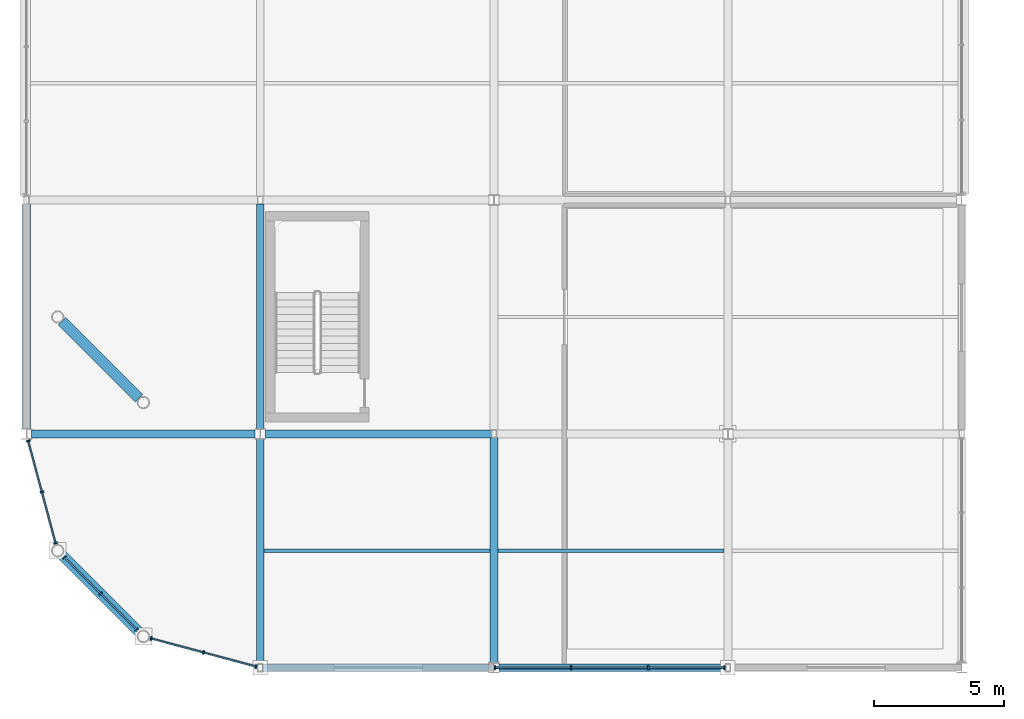
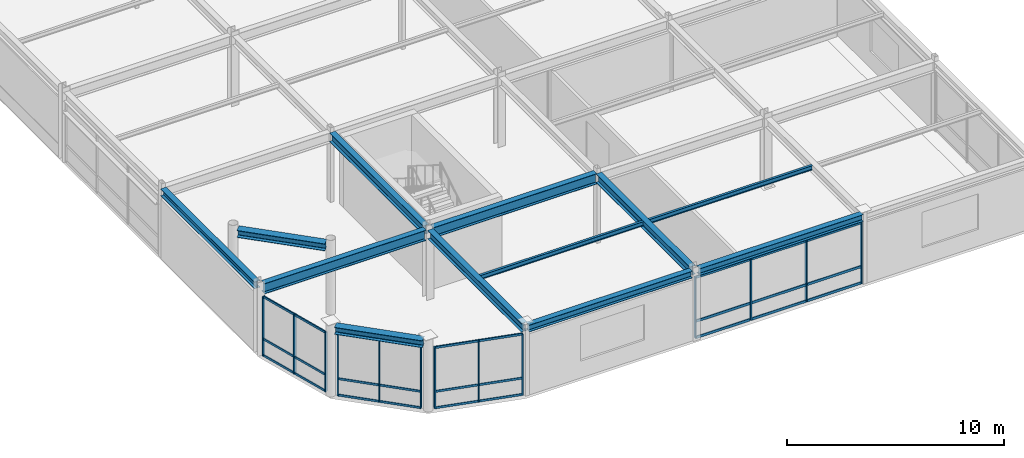
# One storey, part 21 of 105: 40 members, 12 beams, 4 elements without a shape of their own.
"""IFC4 building model written with IfcOpenShell, lengths in metres."""

from ifc_helpers import new_model, si_unit, direction, frame, origin, origin_2d, place, context, subcontext, project, spatial, rectangle, i_section, extrude, material, material_profile, profile_set, type_object, element, aggregate, save


model = new_model("IFC4")

# Units and contexts
model_context = context("Model", 3, precision=1e-05, world=origin(), true_north=direction((0.0, 1.0)))
body_context = subcontext(model_context, "Body", "Model", "MODEL_VIEW")
ifc_project = project(units=[si_unit("LENGTHUNIT", "METRE"), si_unit("AREAUNIT", "SQUARE_METRE"), si_unit("VOLUMEUNIT", "CUBIC_METRE"), si_unit("PLANEANGLEUNIT", "RADIAN"), si_unit("MASSUNIT", "GRAM", prefix="KILO")], contexts=[model_context])

# Site, building, storey
site_placement = place(None, origin())
site = spatial("IfcSite", under=ifc_project, at=site_placement, CompositionType="ELEMENT")
building_placement = place(site_placement, origin())
building = spatial("IfcBuilding", under=site, at=building_placement, Name="Suzunagisa Mobility Hub", CompositionType="ELEMENT")
storey_placement = place(building_placement, frame((0.0, 0.0, 5.10009765625)))
storey = spatial("IfcBuildingStorey", under=building, at=storey_placement, Name="L01", CompositionType="ELEMENT", Elevation=5.10009765625)

# Curtain wall, members
ifc_material_1 = material(Name="Thermally Broken Anodized Aluminum and Low-E Glazing", Category="aluminium")
curtain_wall_type_1 = type_object("IfcCurtainWallType", Name="Unitised Curtain Wall CW-17 9000x3500", PredefinedType="USERDEFINED", material=ifc_material_1)
curtain_wall_1_placement = place(storey_placement, origin())
curtain_wall_1 = element("IfcCurtainWall", 1, at=curtain_wall_1_placement, inside=storey, type_object=curtain_wall_type_1, Name="L01 Unitised Curtain Wall CW-13", ObjectType="UNITISED CURTAIN WALL", PredefinedType="USERDEFINED")
ifc_material_2 = material(Name="Anodized Aluminum 6063-T6", Category="aluminium")
ifc_material_profile_1 = material_profile(ifc_material_2, rectangle(XDim=0.06494140625, YDim=0.139892578125, at=origin_2d()), Name="TRAN-65x140")
ifc_profile_set_1 = profile_set([ifc_material_profile_1], Name="Anodized Aluminum 6063-T6")
member_type_1 = type_object("IfcMemberType", Name="Curtain Wall Framing CM-01 TRAN-65x140", PredefinedType="USERDEFINED", material=ifc_profile_set_1)
member_1_placement = place(storey_placement, frame((18.0625, 0.0, 0.032470703125), z_axis=(1.0, 0.0, 0.0), x_axis=(0.0, 1.0, 0.0)))
member_1 = element("IfcMember", 2, at=member_1_placement, type_object=member_type_1, Name="Curtain Wall Transom 13-T1.1", ObjectType="TRANSOM", PredefinedType="USERDEFINED", context=body_context, shape_type="SweptSolid", body=[
    extrude(rectangle(XDim=0.06494140625, YDim=0.139892578125, at=origin_2d()), origin(), (0.0, 0.0, 1.0), 2.879150390625),
])
member_2_placement = place(storey_placement, frame((18.0625, 0.0, 0.949951171875), z_axis=(1.0, 0.0, 0.0), x_axis=(0.0, 1.0, 0.0)))
member_2 = element("IfcMember", 3, at=member_2_placement, type_object=member_type_1, Name="Curtain Wall Transom 13-T1.2", ObjectType="TRANSOM", PredefinedType="USERDEFINED", context=body_context, shape_type="SweptSolid", body=[
    extrude(rectangle(XDim=0.06494140625, YDim=0.139892578125, at=origin_2d()), origin(), (0.0, 0.0, 1.0), 2.879150390625),
])
member_3_placement = place(storey_placement, frame((18.0625, 0.0, 3.41943359375), z_axis=(1.0, 0.0, 0.0), x_axis=(0.0, 1.0, 0.0)))
member_3 = element("IfcMember", 4, at=member_3_placement, type_object=member_type_1, Name="Curtain Wall Transom 13-T1.3", ObjectType="TRANSOM", PredefinedType="USERDEFINED", context=body_context, shape_type="SweptSolid", body=[
    extrude(rectangle(XDim=0.06494140625, YDim=0.139892578125, at=origin_2d()), origin(), (0.0, 0.0, 1.0), 2.879150390625),
])
member_4_placement = place(storey_placement, frame((20.997802734375, 0.0, 0.032470703125), z_axis=(1.0, 0.0, 0.0), x_axis=(0.0, 1.0, 0.0)))
member_4 = element("IfcMember", 5, at=member_4_placement, type_object=member_type_1, Name="Curtain Wall Transom 13-T2.1", ObjectType="TRANSOM", PredefinedType="USERDEFINED", context=body_context, shape_type="SweptSolid", body=[
    extrude(rectangle(XDim=0.06494140625, YDim=0.139892578125, at=origin_2d()), origin(), (0.0, 0.0, 1.0), 2.908935546875),
])
member_5_placement = place(storey_placement, frame((20.997802734375, 0.0, 0.949951171875), z_axis=(1.0, 0.0, 0.0), x_axis=(0.0, 1.0, 0.0)))
member_5 = element("IfcMember", 6, at=member_5_placement, type_object=member_type_1, Name="Curtain Wall Transom 13-T2.2", ObjectType="TRANSOM", PredefinedType="USERDEFINED", context=body_context, shape_type="SweptSolid", body=[
    extrude(rectangle(XDim=0.06494140625, YDim=0.139892578125, at=origin_2d()), origin(), (0.0, 0.0, 1.0), 2.908935546875),
])
member_6_placement = place(storey_placement, frame((20.997802734375, 0.0, 3.41943359375), z_axis=(1.0, 0.0, 0.0), x_axis=(0.0, 1.0, 0.0)))
member_6 = element("IfcMember", 7, at=member_6_placement, type_object=member_type_1, Name="Curtain Wall Transom 13-T2.3", ObjectType="TRANSOM", PredefinedType="USERDEFINED", context=body_context, shape_type="SweptSolid", body=[
    extrude(rectangle(XDim=0.06494140625, YDim=0.139892578125, at=origin_2d()), origin(), (0.0, 0.0, 1.0), 2.908935546875),
])
member_7_placement = place(storey_placement, frame((23.962890625, 0.0, 0.032470703125), z_axis=(1.0, 0.0, 0.0), x_axis=(0.0, 1.0, 0.0)))
member_7 = element("IfcMember", 8, at=member_7_placement, type_object=member_type_1, Name="Curtain Wall Transom 13-T3.1", ObjectType="TRANSOM", PredefinedType="USERDEFINED", context=body_context, shape_type="SweptSolid", body=[
    extrude(rectangle(XDim=0.06494140625, YDim=0.139892578125, at=origin_2d()), origin(), (0.0, 0.0, 1.0), 2.879150390625),
])
member_8_placement = place(storey_placement, frame((23.962890625, 0.0, 0.949951171875), z_axis=(1.0, 0.0, 0.0), x_axis=(0.0, 1.0, 0.0)))
member_8 = element("IfcMember", 9, at=member_8_placement, type_object=member_type_1, Name="Curtain Wall Transom 13-T3.2", ObjectType="TRANSOM", PredefinedType="USERDEFINED", context=body_context, shape_type="SweptSolid", body=[
    extrude(rectangle(XDim=0.06494140625, YDim=0.139892578125, at=origin_2d()), origin(), (0.0, 0.0, 1.0), 2.879150390625),
])
member_9_placement = place(storey_placement, frame((23.962890625, 0.0, 3.41943359375), z_axis=(1.0, 0.0, 0.0), x_axis=(0.0, 1.0, 0.0)))
member_9 = element("IfcMember", 10, at=member_9_placement, type_object=member_type_1, Name="Curtain Wall Transom 13-T3.3", ObjectType="TRANSOM", PredefinedType="USERDEFINED", context=body_context, shape_type="SweptSolid", body=[
    extrude(rectangle(XDim=0.06494140625, YDim=0.139892578125, at=origin_2d()), origin(), (0.0, 0.0, 1.0), 2.879150390625),
])

curtain_wall_type_2 = type_object("IfcCurtainWallType", Name="Unitised Curtain Wall CW-02 4250x3400", PredefinedType="USERDEFINED", material=ifc_material_1)
curtain_wall_2_placement = place(storey_placement, origin())
curtain_wall_2 = element("IfcCurtainWall", 11, at=curtain_wall_2_placement, inside=storey, type_object=curtain_wall_type_2, Name="L01 Unitised Curtain Wall CW-10", ObjectType="UNITISED CURTAIN WALL", PredefinedType="USERDEFINED")
ifc_material_profile_2 = material_profile(ifc_material_2, rectangle(XDim=0.06005859375, YDim=0.1201171875, at=origin_2d()), Name="TRAN-60x120")
ifc_profile_set_2 = profile_set([ifc_material_profile_2], Name="Anodized Aluminum 6063-T6")
member_type_2 = type_object("IfcMemberType", Name="Curtain Wall Framing CM-02 TRAN-60x120", PredefinedType="USERDEFINED", material=ifc_profile_set_2)
member_10_placement = place(storey_placement, frame((0.078369140625, 8.70751953125, 0.02978515625), z_axis=(0.258797684861, -0.965931549495, 0.0), x_axis=(0.965931549495, 0.258797684861, 0.0)))
member_10 = element("IfcMember", 12, at=member_10_placement, type_object=member_type_2, Name="Curtain Wall Transom 10-T1.1", ObjectType="TRANSOM", PredefinedType="USERDEFINED", context=body_context, shape_type="SweptSolid", body=[
    extrude(rectangle(XDim=0.06005859375, YDim=0.1201171875, at=origin_2d()), origin(), (0.0, 0.0, 1.0), 1.98095703125),
])
member_11_placement = place(storey_placement, frame((0.078369140625, 8.70751953125, 0.949951171875), z_axis=(0.258797684861, -0.965931549495, 0.0), x_axis=(0.965931549495, 0.258797684861, 0.0)))
member_11 = element("IfcMember", 13, at=member_11_placement, type_object=member_type_2, Name="Curtain Wall Transom 10-T1.2", ObjectType="TRANSOM", PredefinedType="USERDEFINED", context=body_context, shape_type="SweptSolid", body=[
    extrude(rectangle(XDim=0.06005859375, YDim=0.1201171875, at=origin_2d()), origin(), (0.0, 0.0, 1.0), 1.98095703125),
])
member_12_placement = place(storey_placement, frame((0.078369140625, 8.70751953125, 3.322021484375), z_axis=(0.258797684861, -0.965931549495, 0.0), x_axis=(0.965931549495, 0.258797684861, 0.0)))
member_12 = element("IfcMember", 14, at=member_12_placement, type_object=member_type_2, Name="Curtain Wall Transom 10-T1.3", ObjectType="TRANSOM", PredefinedType="USERDEFINED", context=body_context, shape_type="SweptSolid", body=[
    extrude(rectangle(XDim=0.06005859375, YDim=0.1201171875, at=origin_2d()), origin(), (0.0, 0.0, 1.0), 1.98095703125),
])
member_13_placement = place(storey_placement, frame((0.605712890625, 6.739990234375, 0.02978515625), z_axis=(0.258797684861, -0.965931549495, 0.0), x_axis=(0.965931549495, 0.258797684861, 0.0)))
member_13 = element("IfcMember", 15, at=member_13_placement, type_object=member_type_2, Name="Curtain Wall Transom 10-T2.1", ObjectType="TRANSOM", PredefinedType="USERDEFINED", context=body_context, shape_type="SweptSolid", body=[
    extrude(rectangle(XDim=0.06005859375, YDim=0.1201171875, at=origin_2d()), origin(), (0.0, 0.0, 1.0), 1.98095703125),
])
member_14_placement = place(storey_placement, frame((0.605712890625, 6.739990234375, 0.949951171875), z_axis=(0.258797684861, -0.965931549495, 0.0), x_axis=(0.965931549495, 0.258797684861, 0.0)))
member_14 = element("IfcMember", 16, at=member_14_placement, type_object=member_type_2, Name="Curtain Wall Transom 10-T2.2", ObjectType="TRANSOM", PredefinedType="USERDEFINED", context=body_context, shape_type="SweptSolid", body=[
    extrude(rectangle(XDim=0.06005859375, YDim=0.1201171875, at=origin_2d()), origin(), (0.0, 0.0, 1.0), 1.98095703125),
])
member_15_placement = place(storey_placement, frame((0.605712890625, 6.739990234375, 3.322021484375), z_axis=(0.258797684861, -0.965931549495, 0.0), x_axis=(0.965931549495, 0.258797684861, 0.0)))
member_15 = element("IfcMember", 17, at=member_15_placement, type_object=member_type_2, Name="Curtain Wall Transom 10-T2.3", ObjectType="TRANSOM", PredefinedType="USERDEFINED", context=body_context, shape_type="SweptSolid", body=[
    extrude(rectangle(XDim=0.06005859375, YDim=0.1201171875, at=origin_2d()), origin(), (0.0, 0.0, 1.0), 1.98095703125),
])

curtain_wall_type_3 = type_object("IfcCurtainWallType", Name="Unitised Curtain Wall CW-23 4000x3500", PredefinedType="USERDEFINED", material=ifc_material_1)
curtain_wall_3_placement = place(storey_placement, origin())
curtain_wall_3 = element("IfcCurtainWall", 18, at=curtain_wall_3_placement, inside=storey, type_object=curtain_wall_type_3, Name="L01 Unitised Curtain Wall CW-11", ObjectType="UNITISED CURTAIN WALL", PredefinedType="USERDEFINED")
member_16_placement = place(storey_placement, frame((1.475341796875, 4.23046875, 0.02978515625), z_axis=(0.707106781187, -0.707106781187, 0.0), x_axis=(0.707106781187, 0.707106781187, 0.0)))
member_16 = element("IfcMember", 19, at=member_16_placement, type_object=member_type_2, Name="Curtain Wall Transom 11-T1.1", ObjectType="TRANSOM", PredefinedType="USERDEFINED", context=body_context, shape_type="SweptSolid", body=[
    extrude(rectangle(XDim=0.06005859375, YDim=0.1201171875, at=origin_2d()), origin(), (0.0, 0.0, 1.0), 1.919921875),
])
member_17_placement = place(storey_placement, frame((1.475341796875, 4.23046875, 0.949951171875), z_axis=(0.707106781187, -0.707106781187, 0.0), x_axis=(0.707106781187, 0.707106781187, 0.0)))
member_17 = element("IfcMember", 20, at=member_17_placement, type_object=member_type_2, Name="Curtain Wall Transom 11-T1.2", ObjectType="TRANSOM", PredefinedType="USERDEFINED", context=body_context, shape_type="SweptSolid", body=[
    extrude(rectangle(XDim=0.06005859375, YDim=0.1201171875, at=origin_2d()), origin(), (0.0, 0.0, 1.0), 1.919921875),
])
member_18_placement = place(storey_placement, frame((1.475341796875, 4.23046875, 3.510009765625), z_axis=(0.707106781187, -0.707106781187, 0.0), x_axis=(0.707106781187, 0.707106781187, 0.0)))
member_18 = element("IfcMember", 21, at=member_18_placement, type_object=member_type_2, Name="Curtain Wall Transom 11-T1.3", ObjectType="TRANSOM", PredefinedType="USERDEFINED", context=body_context, shape_type="SweptSolid", body=[
    extrude(rectangle(XDim=0.06005859375, YDim=0.1201171875, at=origin_2d()), origin(), (0.0, 0.0, 1.0), 1.919921875),
])
member_19_placement = place(storey_placement, frame((2.872802734375, 2.8330078125, 0.02978515625), z_axis=(0.707106781187, -0.707106781187, 0.0), x_axis=(0.707106781187, 0.707106781187, 0.0)))
member_19 = element("IfcMember", 22, at=member_19_placement, type_object=member_type_2, Name="Curtain Wall Transom 11-T2.1", ObjectType="TRANSOM", PredefinedType="USERDEFINED", context=body_context, shape_type="SweptSolid", body=[
    extrude(rectangle(XDim=0.06005859375, YDim=0.1201171875, at=origin_2d()), origin(), (0.0, 0.0, 1.0), 1.919921875),
])
member_20_placement = place(storey_placement, frame((2.872802734375, 2.8330078125, 0.949951171875), z_axis=(0.707106781187, -0.707106781187, 0.0), x_axis=(0.707106781187, 0.707106781187, 0.0)))
member_20 = element("IfcMember", 23, at=member_20_placement, type_object=member_type_2, Name="Curtain Wall Transom 11-T2.2", ObjectType="TRANSOM", PredefinedType="USERDEFINED", context=body_context, shape_type="SweptSolid", body=[
    extrude(rectangle(XDim=0.06005859375, YDim=0.1201171875, at=origin_2d()), origin(), (0.0, 0.0, 1.0), 1.919921875),
])
member_21_placement = place(storey_placement, frame((2.872802734375, 2.8330078125, 3.510009765625), z_axis=(0.707106781187, -0.707106781187, 0.0), x_axis=(0.707106781187, 0.707106781187, 0.0)))
member_21 = element("IfcMember", 24, at=member_21_placement, type_object=member_type_2, Name="Curtain Wall Transom 11-T2.3", ObjectType="TRANSOM", PredefinedType="USERDEFINED", context=body_context, shape_type="SweptSolid", body=[
    extrude(rectangle(XDim=0.06005859375, YDim=0.1201171875, at=origin_2d()), origin(), (0.0, 0.0, 1.0), 1.919921875),
])

curtain_wall_type_4 = type_object("IfcCurtainWallType", Name="Unitised Curtain Wall CW-24 4250x3500", PredefinedType="USERDEFINED", material=ifc_material_1)
curtain_wall_4_placement = place(storey_placement, origin())
curtain_wall_4 = element("IfcCurtainWall", 25, at=curtain_wall_4_placement, inside=storey, type_object=curtain_wall_type_4, Name="L01 Unitised Curtain Wall CW-12", ObjectType="UNITISED CURTAIN WALL", PredefinedType="USERDEFINED")
member_22_placement = place(storey_placement, frame((4.826416015625, 1.118408203125, 0.02978515625), z_axis=(0.965897721411, -0.258923911165, 0.0), x_axis=(0.258923911165, 0.965897721411, 0.0)))
member_22 = element("IfcMember", 26, at=member_22_placement, type_object=member_type_2, Name="Curtain Wall Transom 12-T1.1", ObjectType="TRANSOM", PredefinedType="USERDEFINED", context=body_context, shape_type="SweptSolid", body=[
    extrude(rectangle(XDim=0.06005859375, YDim=0.1201171875, at=origin_2d()), origin(), (0.0, 0.0, 1.0), 2.03564453125),
])
member_23_placement = place(storey_placement, frame((4.826416015625, 1.118408203125, 0.949951171875), z_axis=(0.965897721411, -0.258923911165, 0.0), x_axis=(0.258923911165, 0.965897721411, 0.0)))
member_23 = element("IfcMember", 27, at=member_23_placement, type_object=member_type_2, Name="Curtain Wall Transom 12-T1.2", ObjectType="TRANSOM", PredefinedType="USERDEFINED", context=body_context, shape_type="SweptSolid", body=[
    extrude(rectangle(XDim=0.06005859375, YDim=0.1201171875, at=origin_2d()), origin(), (0.0, 0.0, 1.0), 2.03564453125),
])
member_24_placement = place(storey_placement, frame((4.826416015625, 1.118408203125, 3.421875), z_axis=(0.965897721411, -0.258923911165, 0.0), x_axis=(0.258923911165, 0.965897721411, 0.0)))
member_24 = element("IfcMember", 28, at=member_24_placement, type_object=member_type_2, Name="Curtain Wall Transom 12-T1.3", ObjectType="TRANSOM", PredefinedType="USERDEFINED", context=body_context, shape_type="SweptSolid", body=[
    extrude(rectangle(XDim=0.06005859375, YDim=0.1201171875, at=origin_2d()), origin(), (0.0, 0.0, 1.0), 2.03564453125),
])
member_25_placement = place(storey_placement, frame((6.8466796875, 0.576904296875, 0.02978515625), z_axis=(0.965935741112, -0.258782039643, 0.0), x_axis=(0.258782039643, 0.965935741112, 0.0)))
member_25 = element("IfcMember", 29, at=member_25_placement, type_object=member_type_2, Name="Curtain Wall Transom 12-T2.1", ObjectType="TRANSOM", PredefinedType="USERDEFINED", context=body_context, shape_type="SweptSolid", body=[
    extrude(rectangle(XDim=0.06005859375, YDim=0.1201171875, at=origin_2d()), origin(), (0.0, 0.0, 1.0), 2.035888671875),
])
member_26_placement = place(storey_placement, frame((6.8466796875, 0.576904296875, 0.949951171875), z_axis=(0.965935741112, -0.258782039643, 0.0), x_axis=(0.258782039643, 0.965935741112, 0.0)))
member_26 = element("IfcMember", 30, at=member_26_placement, type_object=member_type_2, Name="Curtain Wall Transom 12-T2.2", ObjectType="TRANSOM", PredefinedType="USERDEFINED", context=body_context, shape_type="SweptSolid", body=[
    extrude(rectangle(XDim=0.06005859375, YDim=0.1201171875, at=origin_2d()), origin(), (0.0, 0.0, 1.0), 2.035888671875),
])
member_27_placement = place(storey_placement, frame((6.8466796875, 0.576904296875, 3.421875), z_axis=(0.965935741112, -0.258782039643, 0.0), x_axis=(0.258782039643, 0.965935741112, 0.0)))
member_27 = element("IfcMember", 31, at=member_27_placement, type_object=member_type_2, Name="Curtain Wall Transom 12-T2.3", ObjectType="TRANSOM", PredefinedType="USERDEFINED", context=body_context, shape_type="SweptSolid", body=[
    extrude(rectangle(XDim=0.06005859375, YDim=0.1201171875, at=origin_2d()), origin(), (0.0, 0.0, 1.0), 2.035888671875),
])

# Member
ifc_material_profile_3 = material_profile(ifc_material_2, rectangle(XDim=0.06005859375, YDim=0.14990234375, at=origin_2d()), Name="MULL-60x150")
ifc_profile_set_3 = profile_set([ifc_material_profile_3], Name="Anodized Aluminum 6063-T6")
member_type_3 = type_object("IfcMemberType", Name="Curtain Wall Framing CM-03 MULL-60x150", PredefinedType="MULLION", material=ifc_profile_set_3)
member_28_placement = place(storey_placement, frame((0.0712890625, 8.734375, 0.0), z_axis=(0.0, 0.0, 1.0), x_axis=(0.258814277087, -0.965927103862, 0.0)))
member_28 = element("IfcMember", 32, at=member_28_placement, type_object=member_type_3, Name="Curtain Wall Mullion 10-M1", PredefinedType="MULLION", context=body_context, shape_type="SweptSolid", body=[
    extrude(rectangle(XDim=0.06005859375, YDim=0.14990234375, at=origin_2d()), origin(), (0.0, 0.0, 1.0), 3.351806640625),
])

member_29_placement = place(storey_placement, frame((0.598388671875, 6.766845703125, 0.0), z_axis=(0.0, 0.0, 1.0), x_axis=(0.258814277087, -0.965927103862, 0.0)))
member_29 = element("IfcMember", 33, at=member_29_placement, type_object=member_type_3, Name="Curtain Wall Mullion 10-M2", PredefinedType="MULLION", context=body_context, shape_type="SweptSolid", body=[
    extrude(rectangle(XDim=0.06005859375, YDim=0.14990234375, at=origin_2d()), origin(), (0.0, 0.0, 1.0), 3.351806640625),
])

member_30_placement = place(storey_placement, frame((1.12548828125, 4.79931640625, 0.0), z_axis=(0.0, 0.0, 1.0), x_axis=(0.258814277087, -0.965927103862, 0.0)))
member_30 = element("IfcMember", 34, at=member_30_placement, type_object=member_type_3, Name="Curtain Wall Mullion 10-M3", PredefinedType="MULLION", context=body_context, shape_type="SweptSolid", body=[
    extrude(rectangle(XDim=0.06005859375, YDim=0.14990234375, at=origin_2d()), origin(), (0.0, 0.0, 1.0), 3.351806640625),
])

aggregate(curtain_wall_2, [member_28, member_29, member_30, member_10, member_11, member_12, member_13, member_14, member_15])

member_31_placement = place(storey_placement, frame((1.45556640625, 4.250244140625, 0.0), z_axis=(0.0, 0.0, 1.0), x_axis=(0.707106781187, -0.707106781187, 0.0)))
member_31 = element("IfcMember", 35, at=member_31_placement, type_object=member_type_3, Name="Curtain Wall Mullion 11-M1", PredefinedType="MULLION", context=body_context, shape_type="SweptSolid", body=[
    extrude(rectangle(XDim=0.06005859375, YDim=0.14990234375, at=origin_2d()), origin(), (0.0, 0.0, 1.0), 3.539794921875),
])

member_32_placement = place(storey_placement, frame((2.852783203125, 2.852783203125, 0.0), z_axis=(0.0, 0.0, 1.0), x_axis=(0.707106781187, -0.707106781187, 0.0)))
member_32 = element("IfcMember", 36, at=member_32_placement, type_object=member_type_3, Name="Curtain Wall Mullion 11-M2", PredefinedType="MULLION", context=body_context, shape_type="SweptSolid", body=[
    extrude(rectangle(XDim=0.06005859375, YDim=0.14990234375, at=origin_2d()), origin(), (0.0, 0.0, 1.0), 3.539794921875),
])

member_33_placement = place(storey_placement, frame((4.250244140625, 1.45556640625, 0.0), z_axis=(0.0, 0.0, 1.0), x_axis=(0.707106781187, -0.707106781187, 0.0)))
member_33 = element("IfcMember", 37, at=member_33_placement, type_object=member_type_3, Name="Curtain Wall Mullion 11-M3", PredefinedType="MULLION", context=body_context, shape_type="SweptSolid", body=[
    extrude(rectangle(XDim=0.06005859375, YDim=0.14990234375, at=origin_2d()), origin(), (0.0, 0.0, 1.0), 3.539794921875),
])

aggregate(curtain_wall_3, [member_31, member_32, member_33, member_16, member_17, member_18, member_19, member_20, member_21])

member_34_placement = place(storey_placement, frame((4.79931640625, 1.12548828125, 0.0), z_axis=(0.0, 0.0, 1.0), x_axis=(0.965924067649, -0.258825608346, 0.0)))
member_34 = element("IfcMember", 38, at=member_34_placement, type_object=member_type_3, Name="Curtain Wall Mullion 12-M1", PredefinedType="MULLION", context=body_context, shape_type="SweptSolid", body=[
    extrude(rectangle(XDim=0.06005859375, YDim=0.14990234375, at=origin_2d()), origin(), (0.0, 0.0, 1.0), 3.451904296875),
])

member_35_placement = place(storey_placement, frame((6.81982421875, 0.584228515625, 0.0), z_axis=(0.0, 0.0, 1.0), x_axis=(0.965924067649, -0.258825608346, 0.0)))
member_35 = element("IfcMember", 39, at=member_35_placement, type_object=member_type_3, Name="Curtain Wall Mullion 12-M2", PredefinedType="MULLION", context=body_context, shape_type="SweptSolid", body=[
    extrude(rectangle(XDim=0.06005859375, YDim=0.14990234375, at=origin_2d()), origin(), (0.0, 0.0, 1.0), 3.451904296875),
])

member_36_placement = place(storey_placement, frame((8.840087890625, 0.042724609375, 0.0), z_axis=(0.0, 0.0, 1.0), x_axis=(0.965924067649, -0.258825608346, 0.0)))
member_36 = element("IfcMember", 40, at=member_36_placement, type_object=member_type_3, Name="Curtain Wall Mullion 12-M3", PredefinedType="MULLION", context=body_context, shape_type="SweptSolid", body=[
    extrude(rectangle(XDim=0.06005859375, YDim=0.14990234375, at=origin_2d()), origin(), (0.0, 0.0, 1.0), 3.451904296875),
])

aggregate(curtain_wall_4, [member_34, member_35, member_36, member_22, member_23, member_24, member_25, member_26, member_27])

member_37_placement = place(storey_placement, frame((18.034423828125, 0.0, 0.0), z_axis=(0.0, 0.0, 1.0), x_axis=(1.0, 0.0, 0.0)))
member_37 = element("IfcMember", 41, at=member_37_placement, type_object=member_type_3, Name="Curtain Wall Mullion 13-M1", PredefinedType="MULLION", context=body_context, shape_type="SweptSolid", body=[
    extrude(rectangle(XDim=0.06005859375, YDim=0.14990234375, at=origin_2d()), origin(), (0.0, 0.0, 1.0), 3.451904296875),
])

member_38_placement = place(storey_placement, frame((20.9697265625, 0.0, 0.0), z_axis=(0.0, 0.0, 1.0), x_axis=(1.0, 0.0, 0.0)))
member_38 = element("IfcMember", 42, at=member_38_placement, type_object=member_type_3, Name="Curtain Wall Mullion 13-M2", PredefinedType="MULLION", context=body_context, shape_type="SweptSolid", body=[
    extrude(rectangle(XDim=0.06005859375, YDim=0.14990234375, at=origin_2d()), origin(), (0.0, 0.0, 1.0), 3.451904296875),
])

member_39_placement = place(storey_placement, frame((23.934814453125, 0.0, 0.0), z_axis=(0.0, 0.0, 1.0), x_axis=(1.0, 0.0, 0.0)))
member_39 = element("IfcMember", 43, at=member_39_placement, type_object=member_type_3, Name="Curtain Wall Mullion 13-M3", PredefinedType="MULLION", context=body_context, shape_type="SweptSolid", body=[
    extrude(rectangle(XDim=0.06005859375, YDim=0.14990234375, at=origin_2d()), origin(), (0.0, 0.0, 1.0), 3.451904296875),
])

member_40_placement = place(storey_placement, frame((26.8701171875, 0.0, 0.0), z_axis=(0.0, 0.0, 1.0), x_axis=(1.0, 0.0, 0.0)))
member_40 = element("IfcMember", 44, at=member_40_placement, type_object=member_type_3, Name="Curtain Wall Mullion 13-M4", PredefinedType="MULLION", context=body_context, shape_type="SweptSolid", body=[
    extrude(rectangle(XDim=0.06005859375, YDim=0.14990234375, at=origin_2d()), origin(), (0.0, 0.0, 1.0), 3.451904296875),
])

aggregate(curtain_wall_1, [member_37, member_38, member_39, member_40, member_1, member_2, member_3, member_4, member_5, member_6, member_7, member_8, member_9])

# Beams
ifc_material_3 = material(Name="Steel SN490B", Category="steel")
ifc_material_profile_4 = material_profile(ifc_material_3, i_section(OverallWidth=0.300048828125, OverallDepth=0.488037109375, WebThickness=0.010986328125, FlangeThickness=0.01806640625, FilletRadius=0.012939453125, at=origin_2d()), Name="H-488x300x11x18")
ifc_profile_set_4 = profile_set([ifc_material_profile_4], Name="Steel SN490B")
beam_type_1 = type_object("IfcBeamType", Name="Steel Beam BM-06 H-488x300x11x18", PredefinedType="BEAM", material=ifc_profile_set_4)
for number, where, z_axis, x_axis, name in (
    (45, (9.0, 9.196044921875, 3.69580078125), (0.0, 1.0, 0.0), (-1.0, 0.0, 0.0), "L01 Primary Girder GY-213"),
    (46, (9.0, 0.14599609375, 3.69580078125), (0.0, 1.0, 0.0), (-1.0, 0.0, 0.0), "L01 Primary Girder GY-263"),
    (47, (18.0, 0.196044921875, 3.69580078125), (0.0, 1.0, 0.0), (-1.0, 0.0, 0.0), "L01 Primary Girder GY-264"),
):
    element("IfcBeam", number, at=place(storey_placement, frame(where, z_axis=z_axis, x_axis=x_axis)), inside=storey, type_object=beam_type_1, Name=name, PredefinedType="BEAM", context=body_context, shape_type="SweptSolid", body=[
        extrude(i_section(OverallWidth=0.300048828125, OverallDepth=0.488037109375, WebThickness=0.010986328125, FlangeThickness=0.01806640625, FilletRadius=0.012939453125, at=origin_2d()), origin(), (0.0, 0.0, 1.0), 8.657958984375),
    ])
ifc_material_profile_5 = material_profile(ifc_material_3, i_section(OverallWidth=0.39990234375, OverallDepth=0.39990234375, WebThickness=0.012939453125, FlangeThickness=0.02099609375, FilletRadius=0.01611328125, at=origin_2d()), Name="H-400x400x13x21")
ifc_profile_set_5 = profile_set([ifc_material_profile_5], Name="Steel SN490B")
beam_type_2 = type_object("IfcBeamType", Name="Steel Beam BM-12 H-400x400x13x21", PredefinedType="SPANDREL", material=ifc_profile_set_5)
for number, where, z_axis, x_axis, name in (
    (48, (1.367431640625, 13.33837890625, 3.739990234375), (0.707106781187, -0.707106781187, 0.0), (0.707106781187, 0.707106781187, 0.0), "L01 Streamline Prow Spandrel 237"),
    (49, (1.367431640625, 4.33837890625, 3.739990234375), (0.707106781187, -0.707106781187, 0.0), (0.707106781187, 0.707106781187, 0.0), "L01 Streamline Prow Spandrel 267"),
):
    element("IfcBeam", number, at=place(storey_placement, frame(where, z_axis=z_axis, x_axis=x_axis)), inside=storey, type_object=beam_type_2, Name=name, PredefinedType="SPANDREL", context=body_context, shape_type="SweptSolid", body=[
        extrude(i_section(OverallWidth=0.39990234375, OverallDepth=0.39990234375, WebThickness=0.012939453125, FlangeThickness=0.02099609375, FilletRadius=0.01611328125, at=origin_2d()), origin(), (0.0, 0.0, 1.0), 4.20166015625),
    ])
ifc_material_profile_6 = material_profile(ifc_material_3, i_section(OverallWidth=0.300048828125, OverallDepth=0.389892578125, WebThickness=0.010009765625, FlangeThickness=0.01611328125, FilletRadius=0.012939453125, at=origin_2d()), Name="H-390x300x10x16")
ifc_profile_set_6 = profile_set([ifc_material_profile_6], Name="Steel SN490B")
beam_type_3 = type_object("IfcBeamType", Name="Steel Beam BM-13 H-390x300x10x16", PredefinedType="SPANDREL", material=ifc_profile_set_6)
for number, where, z_axis, x_axis, name in (
    (50, (9.095947265625, 0.0, 3.744873046875), (1.0, 0.0, 0.0), (0.0, 1.0, 0.0), "L01 Primary Girder GX-258"),
    (51, (18.196044921875, 0.0, 3.744873046875), (1.0, 0.0, 0.0), (0.0, 1.0, 0.0), "L01 Primary Girder GX-259"),
):
    element("IfcBeam", number, at=place(storey_placement, frame(where, z_axis=z_axis, x_axis=x_axis)), inside=storey, type_object=beam_type_3, Name=name, PredefinedType="SPANDREL", context=body_context, shape_type="SweptSolid", body=[
        extrude(i_section(OverallWidth=0.300048828125, OverallDepth=0.389892578125, WebThickness=0.010009765625, FlangeThickness=0.01611328125, FilletRadius=0.012939453125, at=origin_2d()), origin(), (0.0, 0.0, 1.0), 8.7080078125),
    ])
beam_1_placement = place(storey_placement, frame((0.0, 9.196044921875, 3.744873046875), z_axis=(0.0, 1.0, 0.0), x_axis=(-1.0, 0.0, 0.0)))
element("IfcBeam", 52, at=beam_1_placement, inside=storey, type_object=beam_type_3, Name="L01 Primary Girder GY-262", PredefinedType="SPANDREL", context=body_context, shape_type="SweptSolid", body=[
    extrude(i_section(OverallWidth=0.300048828125, OverallDepth=0.389892578125, WebThickness=0.010009765625, FlangeThickness=0.01611328125, FilletRadius=0.012939453125, at=origin_2d()), origin(), (0.0, 0.0, 1.0), 8.657958984375),
])
ifc_material_profile_7 = material_profile(ifc_material_3, i_section(OverallWidth=0.300048828125, OverallDepth=0.587890625, WebThickness=0.011962890625, FlangeThickness=0.02001953125, FilletRadius=0.012939453125, at=origin_2d()), Name="H-588x300x12x20")
ifc_profile_set_7 = profile_set([ifc_material_profile_7], Name="Steel SN490B")
beam_type_4 = type_object("IfcBeamType", Name="Steel Beam BM-16 H-588x300x12x20", PredefinedType="BEAM", material=ifc_profile_set_7)
beam_2_placement = place(storey_placement, frame((9.196044921875, 9.0, 3.64599609375), z_axis=(1.0, 0.0, 0.0), x_axis=(0.0, 1.0, 0.0)))
element("IfcBeam", 53, at=beam_2_placement, inside=storey, type_object=beam_type_4, Name="L01 Primary Girder GX-181", PredefinedType="BEAM", context=body_context, shape_type="SweptSolid", body=[
    extrude(i_section(OverallWidth=0.300048828125, OverallDepth=0.587890625, WebThickness=0.011962890625, FlangeThickness=0.02001953125, FilletRadius=0.012939453125, at=origin_2d()), origin(), (0.0, 0.0, 1.0), 8.7080078125),
])
beam_3_placement = place(storey_placement, frame((0.196044921875, 9.0, 3.64599609375), z_axis=(1.0, 0.0, 0.0), x_axis=(0.0, 1.0, 0.0)))
element("IfcBeam", 54, at=beam_3_placement, inside=storey, type_object=beam_type_4, Name="L01 Primary Girder GX-261", PredefinedType="BEAM", context=body_context, shape_type="SweptSolid", body=[
    extrude(i_section(OverallWidth=0.300048828125, OverallDepth=0.587890625, WebThickness=0.011962890625, FlangeThickness=0.02001953125, FilletRadius=0.012939453125, at=origin_2d()), origin(), (0.0, 0.0, 1.0), 8.60791015625),
])
ifc_material_4 = material(Name="Steel SN400B", Category="steel")
ifc_material_profile_8 = material_profile(ifc_material_4, i_section(OverallWidth=0.125, OverallDepth=0.25, WebThickness=0.006103515625, FlangeThickness=0.009033203125, FilletRadius=0.008056640625, at=origin_2d()), Name="H-250x125x6x9")
ifc_profile_set_8 = profile_set([ifc_material_profile_8], Name="Steel SN400B")
beam_type_5 = type_object("IfcBeamType", Name="Steel Beam BM-21 H-250x125x6x9", PredefinedType="JOIST", material=ifc_profile_set_8)
for number, where, z_axis, x_axis, name in (
    (55, (9.14990234375, 4.5, 3.81494140625), (1.0, 0.0, 0.0), (0.0, 1.0, 0.0), "L01 Composite Floor Joist J-268"),
    (56, (18.14990234375, 4.5, 3.81494140625), (1.0, 0.0, 0.0), (0.0, 1.0, 0.0), "L01 Composite Floor Joist J-269"),
):
    element("IfcBeam", number, at=place(storey_placement, frame(where, z_axis=z_axis, x_axis=x_axis)), inside=storey, type_object=beam_type_5, Name=name, PredefinedType="JOIST", context=body_context, shape_type="SweptSolid", body=[
        extrude(i_section(OverallWidth=0.125, OverallDepth=0.25, WebThickness=0.006103515625, FlangeThickness=0.009033203125, FilletRadius=0.008056640625, at=origin_2d()), origin(), (0.0, 0.0, 1.0), 8.7001953125),
    ])

save(model, "model.ifc")
